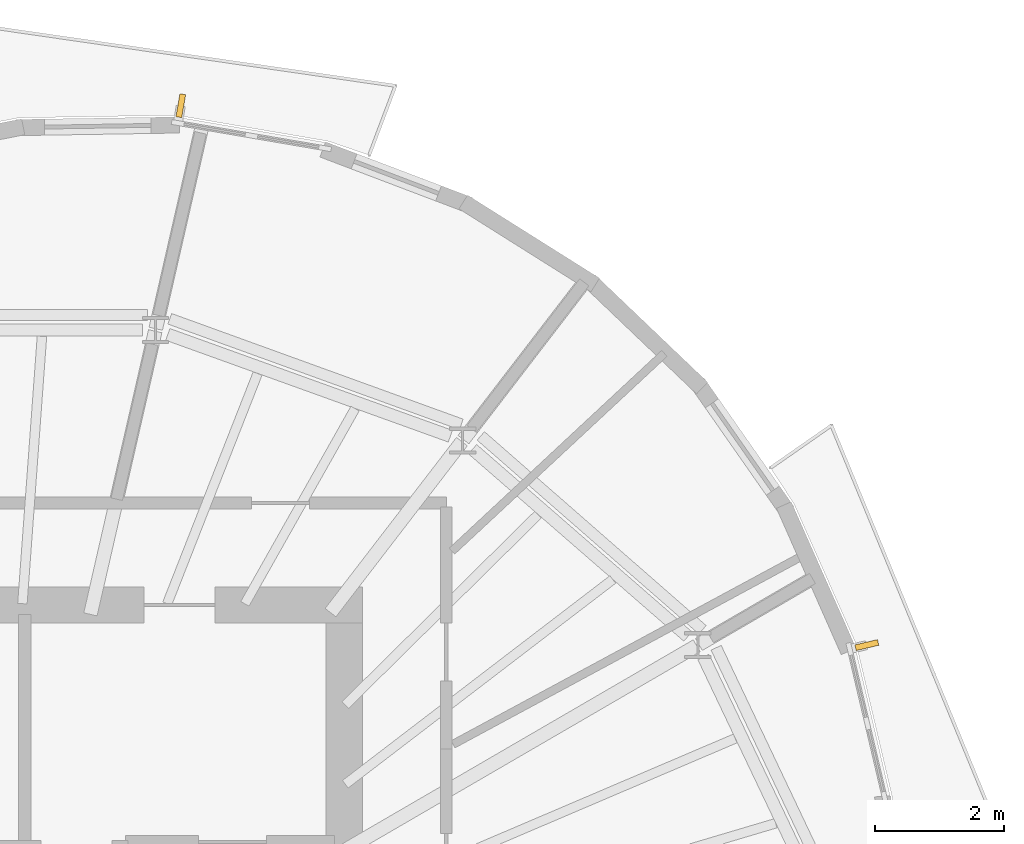
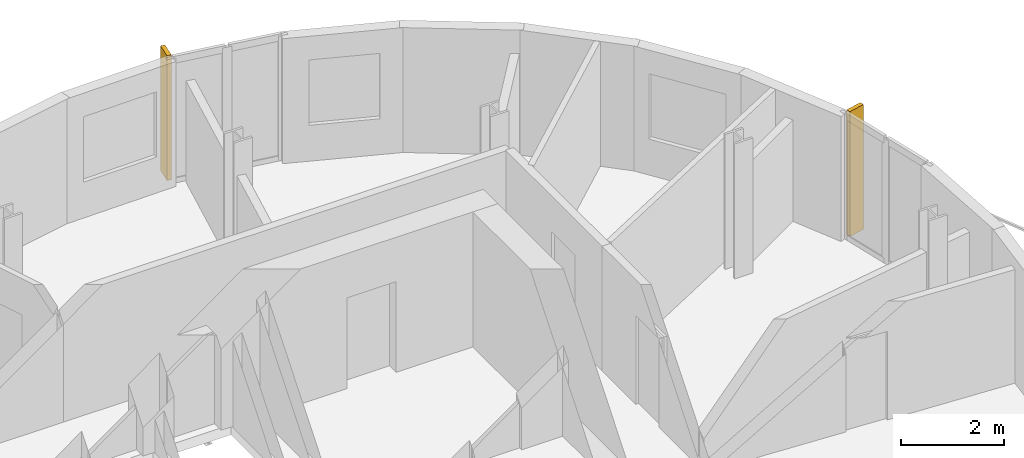
# One storey, part 11 of 11: 2 shading devices.
"""IFC4 building model written with IfcOpenShell, lengths in metres."""

from ifc_helpers import new_model, si_unit, direction, frame, origin, origin_2d, place, context, subcontext, project, spatial, rectangle, extrude, material, layer, layer_set, type_object, element, save


model = new_model("IFC4")

# Units and contexts
model_context = context("Model", 3, precision=1e-05, world=origin(), true_north=direction((0.0, 1.0)))
body_context = subcontext(model_context, "Body", "Model", "MODEL_VIEW")
ifc_project = project(units=[si_unit("LENGTHUNIT", "METRE"), si_unit("AREAUNIT", "SQUARE_METRE"), si_unit("VOLUMEUNIT", "CUBIC_METRE"), si_unit("PLANEANGLEUNIT", "RADIAN"), si_unit("MASSUNIT", "GRAM", prefix="KILO")], contexts=[model_context])

# Site, building, storey
site_placement = place(None, origin())
site = spatial("IfcSite", under=ifc_project, at=site_placement, CompositionType="ELEMENT")
building_placement = place(site_placement, origin())
building = spatial("IfcBuilding", under=site, at=building_placement, Name="Veldorim Arch Residences", CompositionType="ELEMENT")
storey_placement = place(building_placement, frame((0.0, 0.0, 207.840087890625)))
storey = spatial("IfcBuildingStorey", under=building, at=storey_placement, Name="L62", CompositionType="ELEMENT", Elevation=207.840087890625)

# Shading devices
ifc_material = material(Name="Terracotta Ceramic", Category="masonry")
ifc_layer = layer(ifc_material, 0.090087890625, Name="Vertical Extruded Terracotta Baguette Sun-Shading Fin")
ifc_layer_set = layer_set([ifc_layer], Name="Terracotta Ceramic")
shading_device_type = type_object("IfcShadingDeviceType", Name="Vertical Extruded Terracotta Baguette Sun-Shading Fin", PredefinedType="USERDEFINED", material=ifc_layer_set)
for number, where, z_axis, x_axis, name in (
    (1, (34.967529296875, 38.73291015625, 0.0), (0.0, 0.0, 1.0), (0.985674047132, -0.168661414708, 0.0), "L62 vertical terracotta sun-shading fin 03"),
    (2, (45.59375, 30.378662109375, 0.0), (0.0, 0.0, 1.0), (0.228860603507, -0.973459205187, 0.0), "L62 vertical terracotta sun-shading fin 33"),
):
    element("IfcShadingDevice", number, at=place(storey_placement, frame(where, z_axis=z_axis, x_axis=x_axis)), inside=storey, type_object=shading_device_type, Name=name, ObjectType="FIN", PredefinedType="USERDEFINED", context=body_context, shape_type="SweptSolid", body=[
        extrude(rectangle(XDim=0.090087890625, YDim=0.360107421875, at=origin_2d()), origin(), (0.0, 0.0, 1.0), 2.9599609375),
    ])

save(model, "model.ifc")
